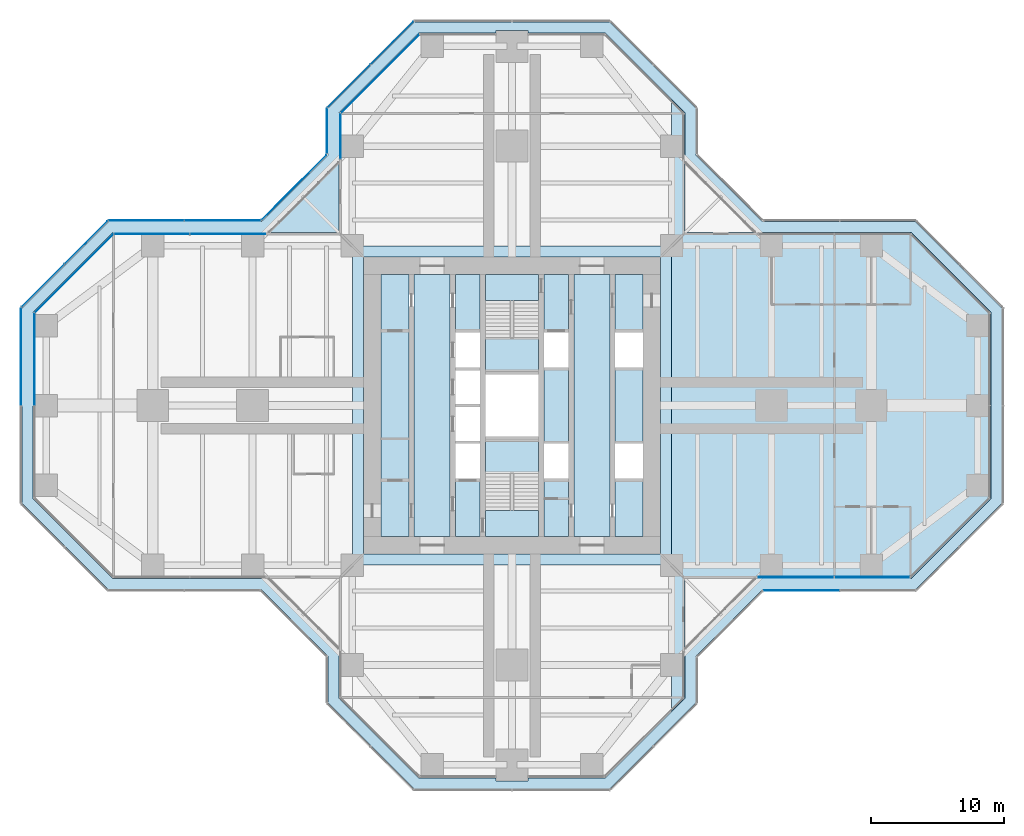
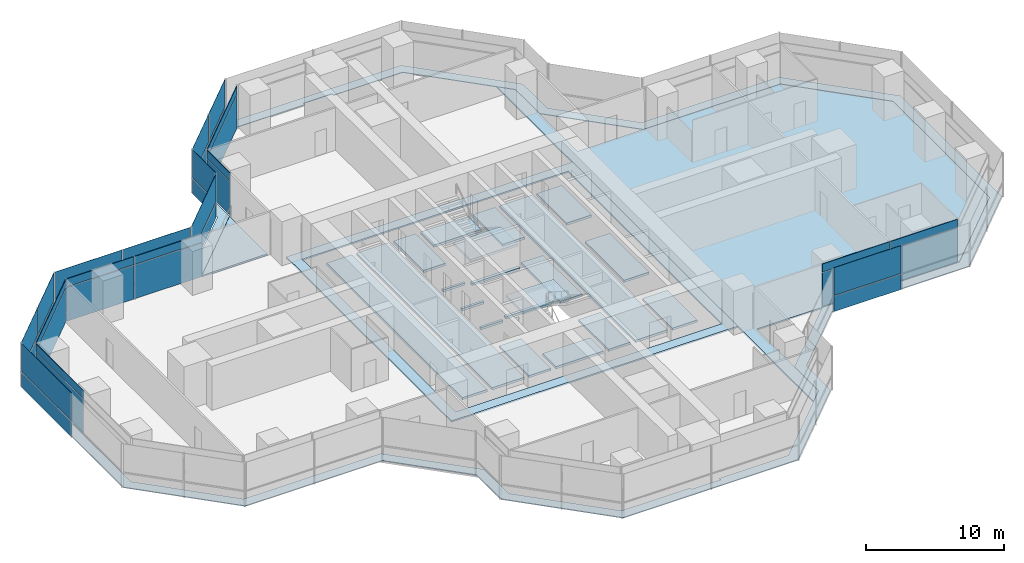
# One storey, part 13 of 19: 37 plates, 8 slabs, 15 elements without a shape of their own.
"""IFC4 building model written with IfcOpenShell, lengths in metres."""

from ifc_helpers import new_model, si_unit, direction, frame, origin, origin_2d, place, context, subcontext, project, spatial, polyline, rectangle, outline, extrude, material, layer, layer_set, type_object, element, aggregate, save


model = new_model("IFC4")

# Units and contexts
model_context = context("Model", 3, precision=1e-05, world=origin(), true_north=direction((0.0, 1.0)))
body_context = subcontext(model_context, "Body", "Model", "MODEL_VIEW")
ifc_project = project(units=[si_unit("LENGTHUNIT", "METRE"), si_unit("AREAUNIT", "SQUARE_METRE"), si_unit("VOLUMEUNIT", "CUBIC_METRE"), si_unit("PLANEANGLEUNIT", "RADIAN"), si_unit("MASSUNIT", "GRAM", prefix="KILO")], contexts=[model_context])

# Site, building, storey
site_placement = place(None, origin())
site = spatial("IfcSite", under=ifc_project, at=site_placement, CompositionType="ELEMENT")
building_placement = place(site_placement, origin())
building = spatial("IfcBuilding", under=site, at=building_placement, Name="Mizan Broadcast Tower", CompositionType="ELEMENT")
storey_placement = place(building_placement, frame((0.0, 0.0, 128.10009765625)))
storey = spatial("IfcBuildingStorey", under=building, at=storey_placement, Name="L28", CompositionType="ELEMENT", Elevation=128.10009765625)

# Plate
ifc_material_1 = material(Name="Aluminium grating", Category="aluminium")
ifc_layer_1 = layer(ifc_material_1, 0.050048828125)
ifc_layer_set_1 = layer_set([ifc_layer_1], Name="Aluminium grating")
plate_type_1 = type_object("IfcPlateType", Name="CAVITY GRATING", PredefinedType="USERDEFINED", material=ifc_layer_set_1)
plate_1_placement = place(storey_placement, frame((0.0, 0.0, -0.050048828125)))
element("IfcPlate", 1, at=plate_1_placement, inside=storey, type_object=plate_type_1, Name="Cavity grating L28", ObjectType="GRATING", PredefinedType="USERDEFINED", context=body_context, shape_type="SweptSolid", body=[
    extrude(outline(polyline([(13.820068359375, -18.839599609375), (18.839599609375, -13.820068359375), (30.339599609375, -13.820068359375), (36.820068359375, -7.339599609375), (36.820068359375, 7.339599609375), (30.339599609375, 13.820068359375), (18.839599609375, 13.820068359375), (13.820068359375, 18.839599609375), (13.820068359375, 22.339599609375), (7.339599609375, 28.820068359375), (-7.339599609375, 28.820068359375), (-13.820068359375, 22.339599609375), (-13.820068359375, 18.839599609375), (-18.839599609375, 13.820068359375), (-30.339599609375, 13.820068359375), (-36.820068359375, 7.339599609375), (-36.820068359375, -7.339599609375), (-30.339599609375, -13.820068359375), (-18.839599609375, -13.820068359375), (-13.820068359375, -18.839599609375), (-13.820068359375, -22.339599609375), (-7.339599609375, -28.820068359375), (7.339599609375, -28.820068359375), (13.820068359375, -22.339599609375), (13.820068359375, -18.839599609375)]), holes=[polyline([(36.0, 7.0), (36.0, -7.0), (30.0, -13.0), (18.5, -13.0), (13.0, -18.5), (13.0, -22.0), (7.0, -28.0), (1.199951171875, -28.0), (1.199951171875, -28.199951171875), (-1.199951171875, -28.199951171875), (-1.199951171875, -28.0), (-7.0, -28.0), (-13.0, -22.0), (-13.0, -18.5), (-18.5, -13.0), (-30.0, -13.0), (-36.0, -7.0), (-36.0, 7.0), (-30.0, 13.0), (-18.5, 13.0), (-13.0, 18.5), (-13.0, 22.0), (-7.0, 28.0), (-1.199951171875, 28.0), (-1.199951171875, 28.199951171875), (1.199951171875, 28.199951171875), (1.199951171875, 28.0), (7.0, 28.0), (13.0, 22.0), (13.0, 18.5), (18.5, 13.0), (30.0, 13.0), (36.0, 7.0)])]), origin(), (0.0, 0.0, 1.0), 0.050048828125),
])

# Slabs
ifc_material_2 = material(Name="Concrete C32/40", Category="concrete")
ifc_layer_2 = layer(ifc_material_2, 0.1298828125)
ifc_layer_set_2 = layer_set([ifc_layer_2], Name="Concrete C32/40")
slab_type_1 = type_object("IfcSlabType", Name="COMPOSITE DECK SLAB 130", PredefinedType="FLOOR", material=ifc_layer_set_2)
slab_1_placement = place(storey_placement, frame((0.0, 0.0, -0.130126953125)))
element("IfcSlab", 2, at=slab_1_placement, inside=storey, type_object=slab_type_1, Name="Floor slab L28 centre", PredefinedType="FLOOR", context=body_context, shape_type="SweptSolid", body=[
    extrude(outline(polyline([(-12.0, -12.0), (12.0, -12.0), (12.0, 12.0), (-12.0, 12.0), (-12.0, -12.0)]), holes=[polyline([(-11.14990234375, 11.14990234375), (11.14990234375, 11.14990234375), (11.14990234375, -11.14990234375), (-11.14990234375, -11.14990234375), (-11.14990234375, 11.14990234375)])]), origin(), (0.0, 0.0, 1.0), 0.130126953125),
])
slab_2_placement = place(storey_placement, frame((0.0, 0.0, -0.130126953125)))
element("IfcSlab", 3, at=slab_2_placement, inside=storey, type_object=slab_type_1, Name="Floor slab L28 east arm", PredefinedType="FLOOR", context=body_context, shape_type="SweptSolid", body=[
    extrude(outline(polyline([(12.0, -23.0), (13.0, -22.0), (13.0, -13.0), (30.0, -13.0), (36.0, -7.0), (36.0, 7.0), (30.0, 13.0), (13.0, 13.0), (13.0, 22.0), (12.0, 23.0), (12.0, -23.0)])), origin(), (0.0, 0.0, 1.0), 0.130126953125),
])
ifc_material_3 = material(Name="Concrete C40/50", Category="concrete")
ifc_layer_3 = layer(ifc_material_3, 0.199951171875)
ifc_layer_set_3 = layer_set([ifc_layer_3], Name="Concrete C40/50")
slab_type_2 = type_object("IfcSlabType", Name="CORE FLOOR 200", PredefinedType="FLOOR", material=ifc_layer_set_3)
slab_3_placement = place(storey_placement, frame((0.0, 0.0, -0.2001953125)))
element("IfcSlab", 4, at=slab_3_placement, inside=storey, type_object=slab_type_2, Name="Core floor L28", PredefinedType="FLOOR", context=body_context, shape_type="SweptSolid", body=[
    extrude(outline(polyline([(-9.85009765625, -9.85009765625), (-7.75, -9.85009765625), (-7.75, 9.85009765625), (-9.85009765625, 9.85009765625), (-9.85009765625, -9.85009765625)])), origin(), (0.0, 0.0, 1.0), 0.2001953125),
    extrude(outline(polyline([(-4.64990234375, 9.85009765625), (-7.35009765625, 9.85009765625), (-7.35009765625, -9.85009765625), (-4.64990234375, -9.85009765625), (-4.64990234375, 9.85009765625)])), origin(), (0.0, 0.0, 1.0), 0.2001953125),
    extrude(outline(polyline([(-4.25, -5.5), (-4.25, -9.85009765625), (-2.39990234375, -9.85009765625), (-2.39990234375, -5.5), (-4.25, -5.5)])), origin(), (0.0, 0.0, 1.0), 0.2001953125),
    extrude(outline(polyline([(-4.25, -2.85009765625), (-2.39990234375, -2.85009765625), (-2.39990234375, -2.64990234375), (-4.25, -2.64990234375), (-4.25, -2.85009765625)])), origin(), (0.0, 0.0, 1.0), 0.2001953125),
    extrude(outline(polyline([(-4.25, -0.10009765625), (-2.39990234375, -0.10009765625), (-2.39990234375, 0.10009765625), (-4.25, 0.10009765625), (-4.25, -0.10009765625)])), origin(), (0.0, 0.0, 1.0), 0.2001953125),
    extrude(outline(polyline([(-4.25, 2.64990234375), (-2.39990234375, 2.64990234375), (-2.39990234375, 2.85009765625), (-4.25, 2.85009765625), (-4.25, 2.64990234375)])), origin(), (0.0, 0.0, 1.0), 0.2001953125),
    extrude(outline(polyline([(-4.25, 5.5), (-2.39990234375, 5.5), (-2.39990234375, 9.85009765625), (-4.25, 9.85009765625), (-4.25, 5.5)])), origin(), (0.0, 0.0, 1.0), 0.2001953125),
    extrude(outline(polyline([(2.0, -2.324951171875), (-2.0, -2.324951171875), (-2.0, -2.574951171875), (2.0, -2.574951171875), (2.0, -2.324951171875)])), origin(), (0.0, 0.0, 1.0), 0.2001953125),
    extrude(outline(polyline([(2.0, 2.574951171875), (-2.0, 2.574951171875), (-2.0, 2.324951171875), (2.0, 2.324951171875), (2.0, 2.574951171875)])), origin(), (0.0, 0.0, 1.0), 0.2001953125),
    extrude(outline(polyline([(4.25, -9.85009765625), (4.25, -5.5), (2.39990234375, -5.5), (2.39990234375, -9.85009765625), (4.25, -9.85009765625)])), origin(), (0.0, 0.0, 1.0), 0.2001953125),
    extrude(outline(polyline([(4.25, -2.85009765625), (4.25, 2.85009765625), (2.39990234375, 2.85009765625), (2.39990234375, -2.85009765625), (4.25, -2.85009765625)])), origin(), (0.0, 0.0, 1.0), 0.2001953125),
    extrude(outline(polyline([(4.25, 5.5), (4.25, 9.85009765625), (2.39990234375, 9.85009765625), (2.39990234375, 5.5), (4.25, 5.5)])), origin(), (0.0, 0.0, 1.0), 0.2001953125),
    extrude(outline(polyline([(4.64990234375, 9.85009765625), (4.64990234375, -9.85009765625), (7.35009765625, -9.85009765625), (7.35009765625, 9.85009765625), (4.64990234375, 9.85009765625)])), origin(), (0.0, 0.0, 1.0), 0.2001953125),
    extrude(outline(polyline([(9.85009765625, -9.85009765625), (9.85009765625, -5.5), (7.75, -5.5), (7.75, -9.85009765625), (9.85009765625, -9.85009765625)])), origin(), (0.0, 0.0, 1.0), 0.2001953125),
    extrude(outline(polyline([(7.75, -2.85009765625), (9.85009765625, -2.85009765625), (9.85009765625, 2.85009765625), (7.75, 2.85009765625), (7.75, -2.85009765625)])), origin(), (0.0, 0.0, 1.0), 0.2001953125),
    extrude(outline(polyline([(9.85009765625, 5.5), (9.85009765625, 9.85009765625), (7.75, 9.85009765625), (7.75, 5.5), (9.85009765625, 5.5)])), origin(), (0.0, 0.0, 1.0), 0.2001953125),
])

# Curtain wall, plates
ifc_material_4 = material(Name="Aluminium framed glazing", Category="aluminium")
curtain_wall_type_1 = type_object("IfcCurtainWallType", Name="INNER SKIN MID ZONE", PredefinedType="USERDEFINED", material=ifc_material_4)
curtain_wall_1_placement = place(storey_placement, origin())
curtain_wall_1 = element("IfcCurtainWall", 5, at=curtain_wall_1_placement, inside=storey, type_object=curtain_wall_type_1, Name="Inner skin mid zone L28 E side", ObjectType="INNER SKIN MID ZONE", PredefinedType="USERDEFINED")
ifc_material_5 = material(Name="Double glazing, clear low-e", Category="glass")
ifc_layer_4 = layer(ifc_material_5, 0.028076171875)
ifc_layer_set_4 = layer_set([ifc_layer_4], Name="Double glazing, clear low-e")
plate_type_2 = type_object("IfcPlateType", Name="INNER SKIN GLAZING UNIT", PredefinedType="CURTAIN_PANEL", material=ifc_layer_set_4)
plate_2_placement = place(storey_placement, frame((21.379638671875, -12.89990234375, 0.0), z_axis=(0.0, 0.0, 1.0), x_axis=(1.0, 0.0, 0.0)))
plate_2 = element("IfcPlate", 6, at=plate_2_placement, type_object=plate_type_2, Name="Inner skin mid zone L28 E side panel 1.1", PredefinedType="CURTAIN_PANEL", context=body_context, shape_type="SweptSolid", body=[
    extrude(rectangle(XDim=5.639404296875, YDim=0.028076171875, at=origin_2d()), origin(), (0.0, 0.0, 1.0), 3.0),
])
plate_3_placement = place(storey_placement, frame((27.078857421875, -12.89990234375, 0.0), z_axis=(0.0, 0.0, 1.0), x_axis=(1.0, 0.0, 0.0)))
plate_3 = element("IfcPlate", 7, at=plate_3_placement, type_object=plate_type_2, Name="Inner skin mid zone L28 E side panel 2.1", PredefinedType="CURTAIN_PANEL", context=body_context, shape_type="SweptSolid", body=[
    extrude(rectangle(XDim=5.639404296875, YDim=0.028076171875, at=origin_2d()), origin(), (0.0, 0.0, 1.0), 3.0),
])

# Curtain wall, plate
curtain_wall_2_placement = place(storey_placement, origin())
curtain_wall_2 = element("IfcCurtainWall", 8, at=curtain_wall_2_placement, inside=storey, type_object=curtain_wall_type_1, Name="Inner skin mid zone L28 N chamfer", ObjectType="INNER SKIN MID ZONE", PredefinedType="USERDEFINED")
plate_4_placement = place(storey_placement, frame((-9.92919921875, 24.92919921875, 0.0), z_axis=(0.0, 0.0, 1.0), x_axis=(-0.707106781187, -0.707106781187, 0.0)))
plate_4 = element("IfcPlate", 9, at=plate_4_placement, type_object=plate_type_2, Name="Inner skin mid zone L28 N chamfer panel 1.1", PredefinedType="CURTAIN_PANEL", context=body_context, shape_type="SweptSolid", body=[
    extrude(rectangle(XDim=8.282470703125, YDim=0.028076171875, at=origin_2d()), origin(), (0.0, 0.0, 1.0), 3.0),
])

curtain_wall_3_placement = place(storey_placement, origin())
curtain_wall_3 = element("IfcCurtainWall", 10, at=curtain_wall_3_placement, inside=storey, type_object=curtain_wall_type_1, Name="Inner skin mid zone L28 N side", ObjectType="INNER SKIN MID ZONE", PredefinedType="USERDEFINED")
plate_5_placement = place(storey_placement, frame((-12.89990234375, 20.229248046875, 0.0), z_axis=(0.0, 0.0, 1.0), x_axis=(0.0, -1.0, 0.0)))
plate_5 = element("IfcPlate", 11, at=plate_5_placement, type_object=plate_type_2, Name="Inner skin mid zone L28 N side panel 1.1", PredefinedType="CURTAIN_PANEL", context=body_context, shape_type="SweptSolid", body=[
    extrude(rectangle(XDim=3.338623046875, YDim=0.028076171875, at=origin_2d()), origin(), (0.0, 0.0, 1.0), 3.0),
])

# Curtain wall, plates
curtain_wall_4_placement = place(storey_placement, origin())
curtain_wall_4 = element("IfcCurtainWall", 12, at=curtain_wall_4_placement, inside=storey, type_object=curtain_wall_type_1, Name="Inner skin mid zone L28 W side", ObjectType="INNER SKIN MID ZONE", PredefinedType="USERDEFINED")
plate_6_placement = place(storey_placement, frame((-21.379638671875, 12.89990234375, 0.0), z_axis=(0.0, 0.0, 1.0), x_axis=(-1.0, 0.0, 0.0)))
plate_6 = element("IfcPlate", 13, at=plate_6_placement, type_object=plate_type_2, Name="Inner skin mid zone L28 W side panel 1.1", PredefinedType="CURTAIN_PANEL", context=body_context, shape_type="SweptSolid", body=[
    extrude(rectangle(XDim=5.639404296875, YDim=0.028076171875, at=origin_2d()), origin(), (0.0, 0.0, 1.0), 3.0),
])
plate_7_placement = place(storey_placement, frame((-27.078857421875, 12.89990234375, 0.0), z_axis=(0.0, 0.0, 1.0), x_axis=(-1.0, 0.0, 0.0)))
plate_7 = element("IfcPlate", 14, at=plate_7_placement, type_object=plate_type_2, Name="Inner skin mid zone L28 W side panel 2.1", PredefinedType="CURTAIN_PANEL", context=body_context, shape_type="SweptSolid", body=[
    extrude(rectangle(XDim=5.639404296875, YDim=0.028076171875, at=origin_2d()), origin(), (0.0, 0.0, 1.0), 3.0),
])

# Curtain wall, plate
curtain_wall_5_placement = place(storey_placement, origin())
curtain_wall_5 = element("IfcCurtainWall", 15, at=curtain_wall_5_placement, inside=storey, type_object=curtain_wall_type_1, Name="Inner skin mid zone L28 W chamfer", ObjectType="INNER SKIN MID ZONE", PredefinedType="USERDEFINED")
plate_8_placement = place(storey_placement, frame((-32.92919921875, 9.92919921875, 0.0), z_axis=(0.0, 0.0, 1.0), x_axis=(-0.707106781187, -0.707106781187, 0.0)))
plate_8 = element("IfcPlate", 16, at=plate_8_placement, type_object=plate_type_2, Name="Inner skin mid zone L28 W chamfer panel 1.1", PredefinedType="CURTAIN_PANEL", context=body_context, shape_type="SweptSolid", body=[
    extrude(rectangle(XDim=8.282470703125, YDim=0.028076171875, at=origin_2d()), origin(), (0.0, 0.0, 1.0), 3.0),
])

curtain_wall_6_placement = place(storey_placement, origin())
curtain_wall_6 = element("IfcCurtainWall", 17, at=curtain_wall_6_placement, inside=storey, type_object=curtain_wall_type_1, Name="Inner skin mid zone L28 W end", ObjectType="INNER SKIN MID ZONE", PredefinedType="USERDEFINED")
plate_9_placement = place(storey_placement, frame((-35.89990234375, 3.46435546875, 0.0), z_axis=(0.0, 0.0, 1.0), x_axis=(0.0, -1.0, 0.0)))
plate_9 = element("IfcPlate", 18, at=plate_9_placement, type_object=plate_type_2, Name="Inner skin mid zone L28 W end panel 1.1", PredefinedType="CURTAIN_PANEL", context=body_context, shape_type="SweptSolid", body=[
    extrude(rectangle(XDim=6.86865234375, YDim=0.028076171875, at=origin_2d()), origin(), (0.0, 0.0, 1.0), 3.0),
])

# Plate
ifc_material_6 = material(Name="Insulated aluminium spandrel panel, pale anodised", Category="aluminium")
ifc_layer_5 = layer(ifc_material_6, 0.050048828125)
ifc_layer_set_5 = layer_set([ifc_layer_5], Name="Insulated aluminium spandrel panel, pale anodised")
plate_type_3 = type_object("IfcPlateType", Name="INNER SKIN SPANDREL PANEL", PredefinedType="CURTAIN_PANEL", material=ifc_layer_set_5)
plate_10_placement = place(storey_placement, frame((21.379638671875, -12.89990234375, 3.059814453125), z_axis=(0.0, 0.0, 1.0), x_axis=(1.0, 0.0, 0.0)))
plate_10 = element("IfcPlate", 19, at=plate_10_placement, type_object=plate_type_3, Name="Inner skin mid zone L28 E side panel 1.2", PredefinedType="CURTAIN_PANEL", context=body_context, shape_type="SweptSolid", body=[
    extrude(rectangle(XDim=5.639404296875, YDim=0.050048828125, at=origin_2d()), origin(), (0.0, 0.0, 1.0), 0.7099609375),
])

plate_11_placement = place(storey_placement, frame((27.078857421875, -12.89990234375, 3.059814453125), z_axis=(0.0, 0.0, 1.0), x_axis=(1.0, 0.0, 0.0)))
plate_11 = element("IfcPlate", 20, at=plate_11_placement, type_object=plate_type_3, Name="Inner skin mid zone L28 E side panel 2.2", PredefinedType="CURTAIN_PANEL", context=body_context, shape_type="SweptSolid", body=[
    extrude(rectangle(XDim=5.639404296875, YDim=0.050048828125, at=origin_2d()), origin(), (0.0, 0.0, 1.0), 0.7099609375),
])

aggregate(curtain_wall_1, [plate_2, plate_10, plate_3, plate_11])

plate_12_placement = place(storey_placement, frame((-9.92919921875, 24.92919921875, 3.059814453125), z_axis=(0.0, 0.0, 1.0), x_axis=(-0.707106781187, -0.707106781187, 0.0)))
plate_12 = element("IfcPlate", 21, at=plate_12_placement, type_object=plate_type_3, Name="Inner skin mid zone L28 N chamfer panel 1.2", PredefinedType="CURTAIN_PANEL", context=body_context, shape_type="SweptSolid", body=[
    extrude(rectangle(XDim=8.282470703125, YDim=0.050048828125, at=origin_2d()), origin(), (0.0, 0.0, 1.0), 0.7099609375),
])

aggregate(curtain_wall_2, [plate_4, plate_12])

plate_13_placement = place(storey_placement, frame((-12.89990234375, 20.229248046875, 3.059814453125), z_axis=(0.0, 0.0, 1.0), x_axis=(0.0, -1.0, 0.0)))
plate_13 = element("IfcPlate", 22, at=plate_13_placement, type_object=plate_type_3, Name="Inner skin mid zone L28 N side panel 1.2", PredefinedType="CURTAIN_PANEL", context=body_context, shape_type="SweptSolid", body=[
    extrude(rectangle(XDim=3.338623046875, YDim=0.050048828125, at=origin_2d()), origin(), (0.0, 0.0, 1.0), 0.7099609375),
])

aggregate(curtain_wall_3, [plate_5, plate_13])

plate_14_placement = place(storey_placement, frame((-21.379638671875, 12.89990234375, 3.059814453125), z_axis=(0.0, 0.0, 1.0), x_axis=(-1.0, 0.0, 0.0)))
plate_14 = element("IfcPlate", 23, at=plate_14_placement, type_object=plate_type_3, Name="Inner skin mid zone L28 W side panel 1.2", PredefinedType="CURTAIN_PANEL", context=body_context, shape_type="SweptSolid", body=[
    extrude(rectangle(XDim=5.639404296875, YDim=0.050048828125, at=origin_2d()), origin(), (0.0, 0.0, 1.0), 0.7099609375),
])

plate_15_placement = place(storey_placement, frame((-27.078857421875, 12.89990234375, 3.059814453125), z_axis=(0.0, 0.0, 1.0), x_axis=(-1.0, 0.0, 0.0)))
plate_15 = element("IfcPlate", 24, at=plate_15_placement, type_object=plate_type_3, Name="Inner skin mid zone L28 W side panel 2.2", PredefinedType="CURTAIN_PANEL", context=body_context, shape_type="SweptSolid", body=[
    extrude(rectangle(XDim=5.639404296875, YDim=0.050048828125, at=origin_2d()), origin(), (0.0, 0.0, 1.0), 0.7099609375),
])

aggregate(curtain_wall_4, [plate_6, plate_14, plate_7, plate_15])

plate_16_placement = place(storey_placement, frame((-32.92919921875, 9.92919921875, 3.059814453125), z_axis=(0.0, 0.0, 1.0), x_axis=(-0.707106781187, -0.707106781187, 0.0)))
plate_16 = element("IfcPlate", 25, at=plate_16_placement, type_object=plate_type_3, Name="Inner skin mid zone L28 W chamfer panel 1.2", PredefinedType="CURTAIN_PANEL", context=body_context, shape_type="SweptSolid", body=[
    extrude(rectangle(XDim=8.282470703125, YDim=0.050048828125, at=origin_2d()), origin(), (0.0, 0.0, 1.0), 0.7099609375),
])

aggregate(curtain_wall_5, [plate_8, plate_16])

plate_17_placement = place(storey_placement, frame((-35.89990234375, 3.46435546875, 3.059814453125), z_axis=(0.0, 0.0, 1.0), x_axis=(0.0, -1.0, 0.0)))
plate_17 = element("IfcPlate", 26, at=plate_17_placement, type_object=plate_type_3, Name="Inner skin mid zone L28 W end panel 1.2", PredefinedType="CURTAIN_PANEL", context=body_context, shape_type="SweptSolid", body=[
    extrude(rectangle(XDim=6.86865234375, YDim=0.050048828125, at=origin_2d()), origin(), (0.0, 0.0, 1.0), 0.7099609375),
])

aggregate(curtain_wall_6, [plate_9, plate_17])

# Curtain wall, plates
ifc_material_7 = material(Name="Aluminium framed glazing", Category="aluminium")
curtain_wall_type_2 = type_object("IfcCurtainWallType", Name="OUTER SKIN", PredefinedType="USERDEFINED", material=ifc_material_7)
curtain_wall_7_placement = place(storey_placement, origin())
curtain_wall_7 = element("IfcCurtainWall", 27, at=curtain_wall_7_placement, inside=storey, type_object=curtain_wall_type_2, Name="Outer skin L28 N chamfer", ObjectType="OUTER SKIN", PredefinedType="USERDEFINED")
ifc_material_8 = material(Name="Laminated clear glass", Category="glass")
ifc_layer_6 = layer(ifc_material_8, 0.02001953125)
ifc_layer_set_6 = layer_set([ifc_layer_6], Name="Laminated clear glass")
plate_type_4 = type_object("IfcPlateType", Name="OUTER SKIN CLEAR GLASS", PredefinedType="CURTAIN_PANEL", material=ifc_layer_set_6)
plate_18_placement = place(storey_placement, frame((-9.018798828125, 27.254150390625, -0.000244140625), z_axis=(0.0, 0.0, 1.0), x_axis=(-0.707106781187, -0.707106781187, 0.0)))
plate_18 = element("IfcPlate", 28, at=plate_18_placement, type_object=plate_type_4, Name="Outer skin L28 N chamfer panel 1.1", PredefinedType="CURTAIN_PANEL", context=body_context, shape_type="SweptSolid", body=[
    extrude(rectangle(XDim=4.495361328125, YDim=0.02001953125, at=origin_2d()), origin(), (0.0, 0.0, 1.0), 1.3701171875),
])
plate_19_placement = place(storey_placement, frame((-9.018798828125, 27.254150390625, 1.4296875), z_axis=(0.0, 0.0, 1.0), x_axis=(-0.707106781187, -0.707106781187, 0.0)))
plate_19 = element("IfcPlate", 29, at=plate_19_placement, type_object=plate_type_4, Name="Outer skin L28 N chamfer panel 1.2", PredefinedType="CURTAIN_PANEL", context=body_context, shape_type="SweptSolid", body=[
    extrude(rectangle(XDim=4.495361328125, YDim=0.02001953125, at=origin_2d()), origin(), (0.0, 0.0, 1.0), 2.469970703125),
])

curtain_wall_8_placement = place(storey_placement, origin())
curtain_wall_8 = element("IfcCurtainWall", 30, at=curtain_wall_8_placement, inside=storey, type_object=curtain_wall_type_2, Name="Outer skin L28 N side", ObjectType="OUTER SKIN", PredefinedType="USERDEFINED")
plate_20_placement = place(storey_placement, frame((-13.89990234375, 20.622802734375, -0.000244140625), z_axis=(0.0, 0.0, 1.0), x_axis=(0.0, -1.0, 0.0)))
plate_20 = element("IfcPlate", 31, at=plate_20_placement, type_object=plate_type_4, Name="Outer skin L28 N side panel 1.1", PredefinedType="CURTAIN_PANEL", context=body_context, shape_type="SweptSolid", body=[
    extrude(rectangle(XDim=3.340087890625, YDim=0.02001953125, at=origin_2d()), origin(), (0.0, 0.0, 1.0), 1.3701171875),
])
plate_21_placement = place(storey_placement, frame((-13.89990234375, 20.622802734375, 1.4296875), z_axis=(0.0, 0.0, 1.0), x_axis=(0.0, -1.0, 0.0)))
plate_21 = element("IfcPlate", 32, at=plate_21_placement, type_object=plate_type_4, Name="Outer skin L28 N side panel 1.2", PredefinedType="CURTAIN_PANEL", context=body_context, shape_type="SweptSolid", body=[
    extrude(rectangle(XDim=3.340087890625, YDim=0.02001953125, at=origin_2d()), origin(), (0.0, 0.0, 1.0), 2.469970703125),
])
aggregate(curtain_wall_8, [plate_20, plate_21])

curtain_wall_9_placement = place(storey_placement, origin())
curtain_wall_9 = element("IfcCurtainWall", 33, at=curtain_wall_9_placement, inside=storey, type_object=curtain_wall_type_2, Name="Outer skin L28 W chamfer", ObjectType="OUTER SKIN", PredefinedType="USERDEFINED")
plate_22_placement = place(storey_placement, frame((-16.386474609375, 16.386474609375, -0.000244140625), z_axis=(0.0, 0.0, 1.0), x_axis=(-0.707106781187, -0.707106781187, 0.0)))
plate_22 = element("IfcPlate", 34, at=plate_22_placement, type_object=plate_type_4, Name="Outer skin L28 W chamfer panel 1.1", PredefinedType="CURTAIN_PANEL", context=body_context, shape_type="SweptSolid", body=[
    extrude(rectangle(XDim=6.87255859375, YDim=0.02001953125, at=origin_2d()), origin(), (0.0, 0.0, 1.0), 1.3701171875),
])
plate_23_placement = place(storey_placement, frame((-16.386474609375, 16.386474609375, 1.4296875), z_axis=(0.0, 0.0, 1.0), x_axis=(-0.707106781187, -0.707106781187, 0.0)))
plate_23 = element("IfcPlate", 35, at=plate_23_placement, type_object=plate_type_4, Name="Outer skin L28 W chamfer panel 1.2", PredefinedType="CURTAIN_PANEL", context=body_context, shape_type="SweptSolid", body=[
    extrude(rectangle(XDim=6.87255859375, YDim=0.02001953125, at=origin_2d()), origin(), (0.0, 0.0, 1.0), 2.469970703125),
])
aggregate(curtain_wall_9, [plate_22, plate_23])

curtain_wall_10_placement = place(storey_placement, origin())
curtain_wall_10 = element("IfcCurtainWall", 36, at=curtain_wall_10_placement, inside=storey, type_object=curtain_wall_type_2, Name="Outer skin L28 W side", ObjectType="OUTER SKIN", PredefinedType="USERDEFINED")
plate_24_placement = place(storey_placement, frame((-21.767822265625, 13.89990234375, -0.000244140625), z_axis=(0.0, 0.0, 1.0), x_axis=(-1.0, 0.0, 0.0)))
plate_24 = element("IfcPlate", 37, at=plate_24_placement, type_object=plate_type_4, Name="Outer skin L28 W side panel 1.1", PredefinedType="CURTAIN_PANEL", context=body_context, shape_type="SweptSolid", body=[
    extrude(rectangle(XDim=5.6298828125, YDim=0.02001953125, at=origin_2d()), origin(), (0.0, 0.0, 1.0), 1.3701171875),
])
plate_25_placement = place(storey_placement, frame((-21.767822265625, 13.89990234375, 1.4296875), z_axis=(0.0, 0.0, 1.0), x_axis=(-1.0, 0.0, 0.0)))
plate_25 = element("IfcPlate", 38, at=plate_25_placement, type_object=plate_type_4, Name="Outer skin L28 W side panel 1.2", PredefinedType="CURTAIN_PANEL", context=body_context, shape_type="SweptSolid", body=[
    extrude(rectangle(XDim=5.6298828125, YDim=0.02001953125, at=origin_2d()), origin(), (0.0, 0.0, 1.0), 2.469970703125),
])
plate_26_placement = place(storey_placement, frame((-27.477783203125, 13.89990234375, -0.000244140625), z_axis=(0.0, 0.0, 1.0), x_axis=(-1.0, 0.0, 0.0)))
plate_26 = element("IfcPlate", 39, at=plate_26_placement, type_object=plate_type_4, Name="Outer skin L28 W side panel 2.1", PredefinedType="CURTAIN_PANEL", context=body_context, shape_type="SweptSolid", body=[
    extrude(rectangle(XDim=5.6298828125, YDim=0.02001953125, at=origin_2d()), origin(), (0.0, 0.0, 1.0), 1.3701171875),
])
plate_27_placement = place(storey_placement, frame((-27.477783203125, 13.89990234375, 1.4296875), z_axis=(0.0, 0.0, 1.0), x_axis=(-1.0, 0.0, 0.0)))
plate_27 = element("IfcPlate", 40, at=plate_27_placement, type_object=plate_type_4, Name="Outer skin L28 W side panel 2.2", PredefinedType="CURTAIN_PANEL", context=body_context, shape_type="SweptSolid", body=[
    extrude(rectangle(XDim=5.6298828125, YDim=0.02001953125, at=origin_2d()), origin(), (0.0, 0.0, 1.0), 2.469970703125),
])
aggregate(curtain_wall_10, [plate_24, plate_25, plate_26, plate_27])

curtain_wall_11_placement = place(storey_placement, origin())
curtain_wall_11 = element("IfcCurtainWall", 41, at=curtain_wall_11_placement, inside=storey, type_object=curtain_wall_type_2, Name="Outer skin L28 W chamfer", ObjectType="OUTER SKIN", PredefinedType="USERDEFINED")
plate_28_placement = place(storey_placement, frame((-32.018798828125, 12.254150390625, -0.000244140625), z_axis=(0.0, 0.0, 1.0), x_axis=(-0.707106781187, -0.707106781187, 0.0)))
plate_28 = element("IfcPlate", 42, at=plate_28_placement, type_object=plate_type_4, Name="Outer skin L28 W chamfer panel 1.1", PredefinedType="CURTAIN_PANEL", context=body_context, shape_type="SweptSolid", body=[
    extrude(rectangle(XDim=4.495361328125, YDim=0.02001953125, at=origin_2d()), origin(), (0.0, 0.0, 1.0), 1.3701171875),
])
plate_29_placement = place(storey_placement, frame((-32.018798828125, 12.254150390625, 1.4296875), z_axis=(0.0, 0.0, 1.0), x_axis=(-0.707106781187, -0.707106781187, 0.0)))
plate_29 = element("IfcPlate", 43, at=plate_29_placement, type_object=plate_type_4, Name="Outer skin L28 W chamfer panel 1.2", PredefinedType="CURTAIN_PANEL", context=body_context, shape_type="SweptSolid", body=[
    extrude(rectangle(XDim=4.495361328125, YDim=0.02001953125, at=origin_2d()), origin(), (0.0, 0.0, 1.0), 2.469970703125),
])

curtain_wall_12_placement = place(storey_placement, origin())
curtain_wall_12 = element("IfcCurtainWall", 44, at=curtain_wall_12_placement, inside=storey, type_object=curtain_wall_type_2, Name="Outer skin L28 W end", ObjectType="OUTER SKIN", PredefinedType="USERDEFINED")
plate_30_placement = place(storey_placement, frame((-36.89990234375, 3.66650390625, -0.000244140625), z_axis=(0.0, 0.0, 1.0), x_axis=(0.0, -1.0, 0.0)))
plate_30 = element("IfcPlate", 45, at=plate_30_placement, type_object=plate_type_4, Name="Outer skin L28 W end panel 1.1", PredefinedType="CURTAIN_PANEL", context=body_context, shape_type="SweptSolid", body=[
    extrude(rectangle(XDim=7.252685546875, YDim=0.02001953125, at=origin_2d()), origin(), (0.0, 0.0, 1.0), 1.3701171875),
])
plate_31_placement = place(storey_placement, frame((-36.89990234375, 3.66650390625, 1.4296875), z_axis=(0.0, 0.0, 1.0), x_axis=(0.0, -1.0, 0.0)))
plate_31 = element("IfcPlate", 46, at=plate_31_placement, type_object=plate_type_4, Name="Outer skin L28 W end panel 1.2", PredefinedType="CURTAIN_PANEL", context=body_context, shape_type="SweptSolid", body=[
    extrude(rectangle(XDim=7.252685546875, YDim=0.02001953125, at=origin_2d()), origin(), (0.0, 0.0, 1.0), 2.469970703125),
])
aggregate(curtain_wall_12, [plate_30, plate_31])

curtain_wall_13_placement = place(storey_placement, origin())
curtain_wall_13 = element("IfcCurtainWall", 47, at=curtain_wall_13_placement, inside=storey, type_object=curtain_wall_type_2, Name="Outer skin L28 E side", ObjectType="OUTER SKIN", PredefinedType="USERDEFINED")
plate_32_placement = place(storey_placement, frame((21.767822265625, -13.89990234375, -0.000244140625), z_axis=(0.0, 0.0, 1.0), x_axis=(1.0, 0.0, 0.0)))
plate_32 = element("IfcPlate", 48, at=plate_32_placement, type_object=plate_type_4, Name="Outer skin L28 E side panel 1.1", PredefinedType="CURTAIN_PANEL", context=body_context, shape_type="SweptSolid", body=[
    extrude(rectangle(XDim=5.6298828125, YDim=0.02001953125, at=origin_2d()), origin(), (0.0, 0.0, 1.0), 1.3701171875),
])
plate_33_placement = place(storey_placement, frame((21.767822265625, -13.89990234375, 1.4296875), z_axis=(0.0, 0.0, 1.0), x_axis=(1.0, 0.0, 0.0)))
plate_33 = element("IfcPlate", 49, at=plate_33_placement, type_object=plate_type_4, Name="Outer skin L28 E side panel 1.2", PredefinedType="CURTAIN_PANEL", context=body_context, shape_type="SweptSolid", body=[
    extrude(rectangle(XDim=5.6298828125, YDim=0.02001953125, at=origin_2d()), origin(), (0.0, 0.0, 1.0), 2.469970703125),
])
aggregate(curtain_wall_13, [plate_32, plate_33])

# Plate
ifc_material_9 = material(Name="Perforated aluminium, pale anodised", Category="aluminium")
ifc_layer_7 = layer(ifc_material_9, 0.011962890625)
ifc_layer_set_7 = layer_set([ifc_layer_7], Name="Perforated aluminium, pale anodised")
plate_type_5 = type_object("IfcPlateType", Name="OUTER SKIN PERFORATED SCREEN", PredefinedType="USERDEFINED", material=ifc_layer_set_7)
plate_34_placement = place(storey_placement, frame((-12.254150390625, 24.018798828125, -0.000244140625), z_axis=(0.0, 0.0, 1.0), x_axis=(-0.707106781187, -0.707106781187, 0.0)))
plate_34 = element("IfcPlate", 50, at=plate_34_placement, type_object=plate_type_5, Name="Outer skin L28 N chamfer panel 2.1", ObjectType="SCREEN", PredefinedType="USERDEFINED", context=body_context, shape_type="SweptSolid", body=[
    extrude(rectangle(XDim=4.495361328125, YDim=0.011962890625, at=origin_2d()), origin(), (0.0, 0.0, 1.0), 1.3701171875),
])

plate_35_placement = place(storey_placement, frame((-12.254150390625, 24.018798828125, 1.4296875), z_axis=(0.0, 0.0, 1.0), x_axis=(-0.707106781187, -0.707106781187, 0.0)))
plate_35 = element("IfcPlate", 51, at=plate_35_placement, type_object=plate_type_5, Name="Outer skin L28 N chamfer panel 2.2", ObjectType="SCREEN", PredefinedType="USERDEFINED", context=body_context, shape_type="SweptSolid", body=[
    extrude(rectangle(XDim=4.495361328125, YDim=0.011962890625, at=origin_2d()), origin(), (0.0, 0.0, 1.0), 2.469970703125),
])

aggregate(curtain_wall_7, [plate_18, plate_19, plate_34, plate_35])

plate_36_placement = place(storey_placement, frame((-35.254150390625, 9.018798828125, -0.000244140625), z_axis=(0.0, 0.0, 1.0), x_axis=(-0.707106781187, -0.707106781187, 0.0)))
plate_36 = element("IfcPlate", 52, at=plate_36_placement, type_object=plate_type_5, Name="Outer skin L28 W chamfer panel 2.1", ObjectType="SCREEN", PredefinedType="USERDEFINED", context=body_context, shape_type="SweptSolid", body=[
    extrude(rectangle(XDim=4.495361328125, YDim=0.011962890625, at=origin_2d()), origin(), (0.0, 0.0, 1.0), 1.3701171875),
])

plate_37_placement = place(storey_placement, frame((-35.254150390625, 9.018798828125, 1.4296875), z_axis=(0.0, 0.0, 1.0), x_axis=(-0.707106781187, -0.707106781187, 0.0)))
plate_37 = element("IfcPlate", 53, at=plate_37_placement, type_object=plate_type_5, Name="Outer skin L28 W chamfer panel 2.2", ObjectType="SCREEN", PredefinedType="USERDEFINED", context=body_context, shape_type="SweptSolid", body=[
    extrude(rectangle(XDim=4.495361328125, YDim=0.011962890625, at=origin_2d()), origin(), (0.0, 0.0, 1.0), 2.469970703125),
])

aggregate(curtain_wall_11, [plate_28, plate_29, plate_36, plate_37])

# Stair, slabs
ifc_material_10 = material(Name="Concrete C40/50", Category="concrete")
stair_type = type_object("IfcStairType", Name="EXIT STAIR", PredefinedType="HALF_TURN_STAIR", material=ifc_material_10)
stair_1_placement = place(storey_placement, origin())
stair_1 = element("IfcStair", 54, at=stair_1_placement, inside=storey, type_object=stair_type, Name="Stair A L28", PredefinedType="HALF_TURN_STAIR")
ifc_material_11 = material(Name="Concrete C40/50", Category="concrete")
ifc_layer_8 = layer(ifc_material_11, 0.199951171875)
ifc_layer_set_8 = layer_set([ifc_layer_8], Name="Concrete C40/50")
slab_type_3 = type_object("IfcSlabType", Name="STAIR LANDING 200", PredefinedType="LANDING", material=ifc_layer_set_8)
slab_4_placement = place(storey_placement, frame((0.0, 0.0, -0.2001953125)))
slab_4 = element("IfcSlab", 55, at=slab_4_placement, type_object=slab_type_3, Name="A landing 1", PredefinedType="LANDING", context=body_context, shape_type="SweptSolid", body=[
    extrude(outline(polyline([(-2.0, -9.85009765625), (-2.0, -7.89990234375), (2.0, -7.89990234375), (2.0, -9.85009765625), (-2.0, -9.85009765625)])), origin(), (0.0, 0.0, 1.0), 0.2001953125),
])
slab_5_placement = place(storey_placement, frame((0.0, 0.0, 1.75)))
slab_5 = element("IfcSlab", 56, at=slab_5_placement, type_object=slab_type_3, Name="A landing 2", PredefinedType="LANDING", context=body_context, shape_type="SweptSolid", body=[
    extrude(outline(polyline([(-2.0, -5.10009765625), (-2.0, -2.574951171875), (2.0, -2.574951171875), (2.0, -5.10009765625), (-2.0, -5.10009765625)])), origin(), (0.0, 0.0, 1.0), 0.199951171875),
])
aggregate(stair_1, [slab_4, slab_5])

stair_2_placement = place(storey_placement, origin())
stair_2 = element("IfcStair", 57, at=stair_2_placement, inside=storey, type_object=stair_type, Name="Stair B L28", PredefinedType="HALF_TURN_STAIR")
slab_6_placement = place(storey_placement, frame((0.0, 0.0, -0.2001953125)))
slab_6 = element("IfcSlab", 58, at=slab_6_placement, type_object=slab_type_3, Name="B landing 1", PredefinedType="LANDING", context=body_context, shape_type="SweptSolid", body=[
    extrude(outline(polyline([(2.0, 9.85009765625), (2.0, 7.89990234375), (-2.0, 7.89990234375), (-2.0, 9.85009765625), (2.0, 9.85009765625)])), origin(), (0.0, 0.0, 1.0), 0.2001953125),
])
slab_7_placement = place(storey_placement, frame((0.0, 0.0, 1.75)))
slab_7 = element("IfcSlab", 59, at=slab_7_placement, type_object=slab_type_3, Name="B landing 2", PredefinedType="LANDING", context=body_context, shape_type="SweptSolid", body=[
    extrude(outline(polyline([(2.0, 5.10009765625), (2.0, 2.574951171875), (-2.0, 2.574951171875), (-2.0, 5.10009765625), (2.0, 5.10009765625)])), origin(), (0.0, 0.0, 1.0), 0.199951171875),
])
aggregate(stair_2, [slab_6, slab_7])

# Slab
ifc_material_12 = material(Name="Concrete C32/40", Category="concrete")
ifc_layer_9 = layer(ifc_material_12, 0.1298828125)
ifc_layer_set_9 = layer_set([ifc_layer_9], Name="Concrete C32/40")
slab_type_4 = type_object("IfcSlabType", Name="WINTER GARDEN SLAB 130", PredefinedType="FLOOR", material=ifc_layer_set_9)
slab_8_placement = place(storey_placement, frame((0.0, 0.0, -0.130126953125)))
element("IfcSlab", 60, at=slab_8_placement, inside=storey, type_object=slab_type_4, Name="Winter garden slab L28 N", PredefinedType="FLOOR", context=body_context, shape_type="SweptSolid", body=[
    extrude(outline(polyline([(-13.0, 13.0), (-13.0, 18.5), (-18.5, 13.0), (-13.0, 13.0)])), origin(), (0.0, 0.0, 1.0), 0.130126953125),
])

save(model, "model.ifc")
